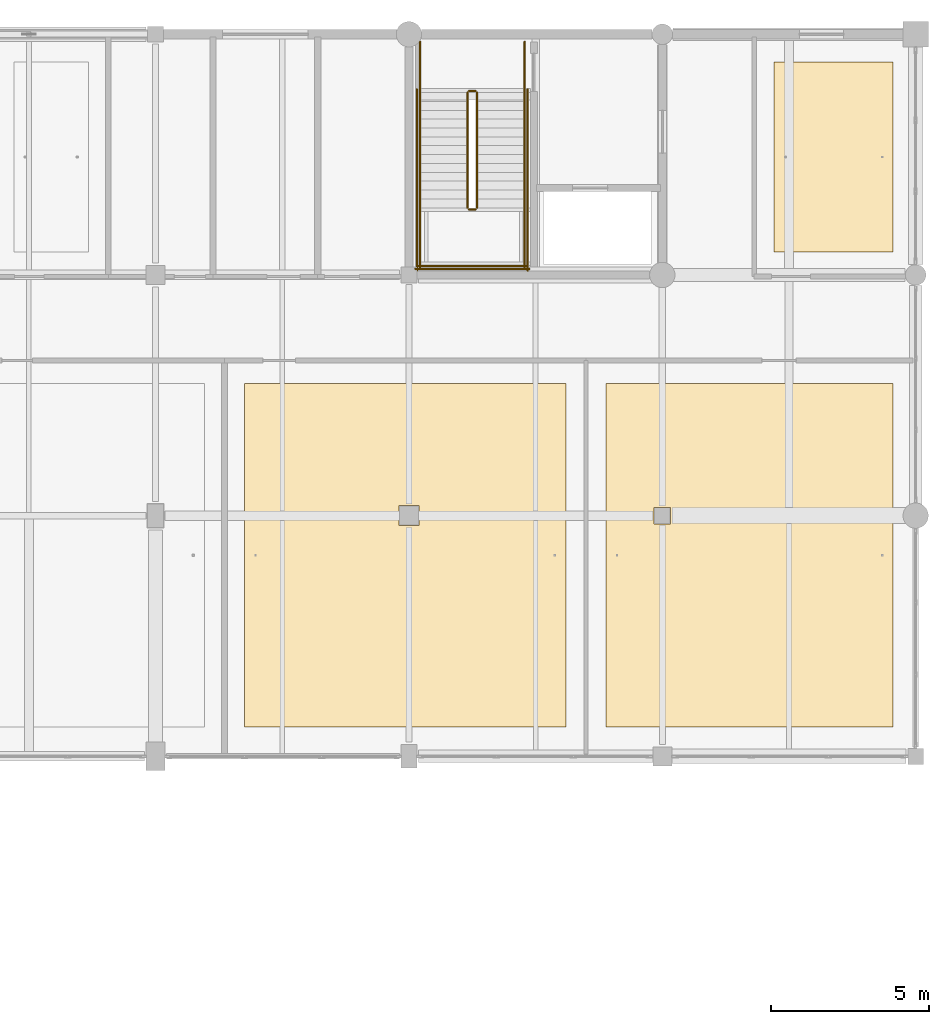
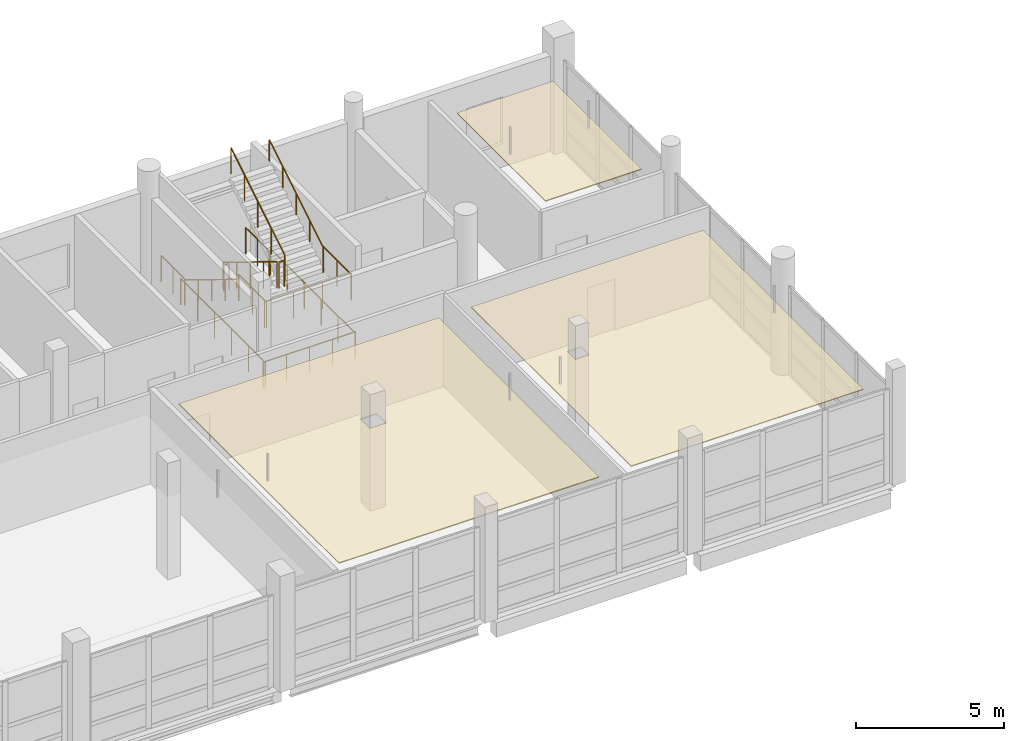
# One storey, part 46 of 46: 14 railings, 3 coverings.
"""IFC4 building model written with IfcOpenShell, lengths in metres."""

import ifcopenshell
import ifcopenshell.guid

model = None  # the IFC model being written
_history = None  # IfcOwnerHistory: only IFC2X3 demands one
_inside = {}  # id of a spatial element -> (the spatial element, [elements in it])
_under = {}  # id of a project, library or spatial element -> (it, [spatial elements below it])
_declared = {}  # id of a project -> (the project, [libraries it declares])
_typed = {}  # id of a type object -> (the type object, [elements of that type])
_made_of = {}  # id of a material, layer set ... -> (it, [elements and type objects made of it])


def new_model(schema):
    """Start an empty IFC model of exactly this schema.

    Asked for "IFC4X3", IfcOpenShell would pick the latest addendum, in which some entities
    have other attributes; the version numbers below select the first issue.
    IFC2X3 requires an IfcOwnerHistory on every rooted entity: one is made here for all.
    """
    global model, _history
    if schema == "IFC4X3":
        model = ifcopenshell.file(schema_version=(4, 3, 0, 0))
    else:
        model = ifcopenshell.file(schema=schema)
    _inside.clear()
    _under.clear()
    _declared.clear()
    _typed.clear()
    _made_of.clear()
    _history = None
    if model.schema == "IFC2X3":
        org = make("IfcOrganization", Name="unknown")
        user = make(
            "IfcPersonAndOrganization",
            ThePerson=make("IfcPerson", FamilyName="unknown"),
            TheOrganization=org,
        )
        app = make(
            "IfcApplication",
            ApplicationDeveloper=org,
            Version="unknown",
            ApplicationFullName="unknown",
            ApplicationIdentifier="unknown",
        )
        _history = make(
            "IfcOwnerHistory",
            OwningUser=user,
            OwningApplication=app,
            ChangeAction="ADDED",
            CreationDate=0,
        )
    return model


def make(cls, **values):
    """One entity of the class cls with the attributes given. An attribute that is None is left unset."""
    return model.create_entity(
        cls, **{name: value for name, value in values.items() if value is not None}
    )


def rooted(cls, **values):
    """An entity with a GlobalId (a new one), such as an element, a storey or a relation."""
    return make(cls, GlobalId=ifcopenshell.guid.new(), OwnerHistory=_history, **values)


def si_unit(unit_type, name, prefix=None):
    """IfcSIUnit, for example si_unit("LENGTHUNIT", "METRE", prefix="MILLI")."""
    return make("IfcSIUnit", UnitType=unit_type, Prefix=prefix, Name=name)


def assignment(units):
    """IfcUnitAssignment: the units of a project."""
    return None if units is None else make("IfcUnitAssignment", Units=units)


def point(xyz):
    """IfcCartesianPoint."""
    return None if xyz is None else make("IfcCartesianPoint", Coordinates=xyz)


def direction(xyz):
    """IfcDirection."""
    return None if xyz is None else make("IfcDirection", DirectionRatios=xyz)


def frame(location, z_axis=None, x_axis=None):
    """IfcAxis2Placement3D, a coordinate frame: its origin and axes. An axis left out is left unset."""
    return make(
        "IfcAxis2Placement3D",
        Location=point(location),
        Axis=direction(z_axis),
        RefDirection=direction(x_axis),
    )


def frame_2d(location, x_axis=None):
    """IfcAxis2Placement2D, a coordinate frame in the plane: its origin and x axis."""
    return make(
        "IfcAxis2Placement2D", Location=point(location), RefDirection=direction(x_axis)
    )


def origin():
    """The frame at (0, 0, 0) with its axes left unset."""
    return frame((0.0, 0.0, 0.0))


def origin_2d():
    """The frame at (0, 0) in the plane with its x axis left unset."""
    return frame_2d((0.0, 0.0))


def place(relative_to, where):
    """IfcLocalPlacement: puts the frame where relative to a parent placement (None: the world)."""
    return make(
        "IfcLocalPlacement", PlacementRelTo=relative_to, RelativePlacement=where
    )


def context(
    kind, dimensions, precision=None, world=None, true_north=None, identifier=None
):
    """IfcGeometricRepresentationContext, for example the 3D "Model" context."""
    return make(
        "IfcGeometricRepresentationContext",
        ContextIdentifier=identifier,
        ContextType=kind,
        CoordinateSpaceDimension=dimensions,
        Precision=precision,
        WorldCoordinateSystem=world,
        TrueNorth=true_north,
    )


def subcontext(parent, identifier, kind, view, scale=None):
    """IfcGeometricRepresentationSubContext, for example "Body" below "Model"."""
    return make(
        "IfcGeometricRepresentationSubContext",
        ContextIdentifier=identifier,
        ContextType=kind,
        ParentContext=parent,
        TargetScale=scale,
        TargetView=view,
    )


def project(units=None, contexts=None):
    """IfcProject with its units and contexts."""
    return rooted(
        "IfcProject",
        Name="project",
        RepresentationContexts=contexts,
        UnitsInContext=assignment(units),
    )


def spatial(cls, under=None, at=None, **own):
    """A site, building, storey or space (cls), placed at a placement, below another one or the project."""
    s = rooted(cls, ObjectPlacement=at, **own)
    if under is not None:
        _under.setdefault(under.id(), (under, []))[1].append(s)
    return s


def polyline(points):
    """IfcPolyline through the points."""
    return make("IfcPolyline", Points=[point(p) for p in points])


def profile(cls, at=None, kind="AREA", **sizes):
    """A parametric profile (cls). Its sizes go by their IFC names, for example OverallWidth=200.0."""
    return make(cls, ProfileType=kind, Position=at, **sizes)


def circle(**sizes):
    """IfcCircleProfileDef."""
    return profile("IfcCircleProfileDef", **sizes)


def outline(outer, holes=None, kind="AREA"):
    """IfcArbitraryClosedProfileDef: a profile drawn as a closed curve; with holes, ...WithVoids."""
    if holes is None:
        return make("IfcArbitraryClosedProfileDef", ProfileType=kind, OuterCurve=outer)
    return make(
        "IfcArbitraryProfileDefWithVoids",
        ProfileType=kind,
        OuterCurve=outer,
        InnerCurves=holes,
    )


def extrude(swept, where, along, depth):
    """IfcExtrudedAreaSolid: the profile swept, set in the frame where, extruded along a direction by depth."""
    return make(
        "IfcExtrudedAreaSolid",
        SweptArea=swept,
        Position=where,
        ExtrudedDirection=direction(along),
        Depth=depth,
    )


def shape(context_of_items, identifier, shape_type, items):
    """IfcShapeRepresentation: the items that make up one representation, for example the "Body"."""
    return make(
        "IfcShapeRepresentation",
        ContextOfItems=context_of_items,
        RepresentationIdentifier=identifier,
        RepresentationType=shape_type,
        Items=items,
    )


def material(Name=None, Category=None):
    """IfcMaterial."""
    return make("IfcMaterial", Name=Name, Category=Category)


def layer(
    of_material, thickness, ventilated=None, Name=None, Category=None, Priority=None
):
    """IfcMaterialLayer: one layer of a wall or slab, of a material (None: an air gap)."""
    return make(
        "IfcMaterialLayer",
        Material=of_material,
        LayerThickness=thickness,
        IsVentilated=ventilated,
        Name=Name,
        Category=Category,
        Priority=Priority,
    )


def layer_set(layers, Name=None):
    """IfcMaterialLayerSet."""
    return make("IfcMaterialLayerSet", MaterialLayers=layers, LayerSetName=Name)


def made_of(thing, what):
    """Note that an element or type object is made of a material, layer set ...; save() writes the relation."""
    if what is not None:
        _made_of.setdefault(what.id(), (what, []))[1].append(thing)
    return thing


def type_object(cls, material=None, **own):
    """A type object (cls), such as IfcWallType, which elements share."""
    return made_of(rooted(cls, **own), material)


def element(
    cls,
    number,
    at=None,
    inside=None,
    cuts=None,
    type_object=None,
    material=None,
    context=None,
    identifier="Body",
    shape_type=None,
    held_by="IfcProductDefinitionShape",
    body=None,
    shapes=None,
    **own,
):
    """One element of the class cls, such as IfcWall. Its Tag is "e" and its number.

    at: its placement. inside: the storey or other place that contains it. cuts: it is an
    opening in that element (IfcRelVoidsElement). A single representation is given by context,
    identifier, shape_type and body (its items); several are given by shapes. held_by: the class
    of the entity that holds the representations. save() writes the other relations.
    """
    e = rooted(cls, Tag="e%d" % number, ObjectPlacement=at, **own)
    if body is not None:
        shapes = [shape(context, identifier, shape_type, body)]
    if shapes is not None:
        e.Representation = make(held_by, Representations=shapes)
    if inside is not None:
        _inside.setdefault(inside.id(), (inside, []))[1].append(e)
    if cuts is not None:
        rooted(
            "IfcRelVoidsElement", RelatingBuildingElement=cuts, RelatedOpeningElement=e
        )
    if type_object is not None:
        _typed.setdefault(type_object.id(), (type_object, []))[1].append(e)
    return made_of(e, material)


def aggregate(whole, parts):
    """IfcRelAggregates: a whole, such as a stair, and the parts it consists of."""
    return rooted("IfcRelAggregates", RelatingObject=whole, RelatedObjects=parts)


def save(model, path):
    """Write the relations noted so far, then the file.

    IfcRelAggregates (storeys below a building ...), IfcRelContainedInSpatialStructure (elements
    in a storey), IfcRelDefinesByType, IfcRelAssociatesMaterial and IfcRelDeclares: one each for
    every whole, place, type object, material and project.
    """
    for whole, parts in _under.values():
        aggregate(whole, parts)
    for where, things in _inside.values():
        rooted(
            "IfcRelContainedInSpatialStructure",
            RelatedElements=things,
            RelatingStructure=where,
        )
    for kind, things in _typed.values():
        rooted("IfcRelDefinesByType", RelatedObjects=things, RelatingType=kind)
    for what, things in _made_of.values():
        rooted("IfcRelAssociatesMaterial", RelatedObjects=things, RelatingMaterial=what)
    for by, libraries in _declared.values():
        rooted("IfcRelDeclares", RelatingContext=by, RelatedDefinitions=libraries)
    model.write(path)


model = new_model("IFC4")

# Units and contexts
model_context = context("Model", 3, precision=1e-05, world=origin(), true_north=direction((0.0, 1.0)))
body_context = subcontext(model_context, "Body", "Model", "MODEL_VIEW")
ifc_project = project(units=[si_unit("LENGTHUNIT", "METRE"), si_unit("AREAUNIT", "SQUARE_METRE"), si_unit("VOLUMEUNIT", "CUBIC_METRE"), si_unit("PLANEANGLEUNIT", "RADIAN"), si_unit("MASSUNIT", "GRAM", prefix="KILO")], contexts=[model_context])

# Site, building, storey
site_placement = place(None, origin())
site = spatial("IfcSite", under=ifc_project, at=site_placement, CompositionType="ELEMENT")
building_placement = place(site_placement, origin())
building = spatial("IfcBuilding", under=site, at=building_placement, Name="Khelvaren Railside Concert Hall", CompositionType="ELEMENT")
storey_placement = place(building_placement, frame((0.0, 0.0, 19.800048828125)))
storey = spatial("IfcBuildingStorey", under=building, at=storey_placement, Name="L04", CompositionType="ELEMENT", Elevation=19.800048828125)

# Coverings
ifc_material_1 = material(Name="Mineral-wool acoustic baffle ceiling", Category="gypsum")
ifc_layer_1 = layer(ifc_material_1, 0.0400390625)
ifc_layer_set_1 = layer_set([ifc_layer_1], Name="Mineral-wool acoustic baffle ceiling")
covering_type_1 = type_object("IfcCoveringType", Name="CLG20", PredefinedType="CEILING", material=ifc_layer_set_1)
covering_1_placement = place(storey_placement, frame((0.0, 0.0, 3.409912109375)))
element("IfcCovering", 1, at=covering_1_placement, inside=storey, type_object=covering_type_1, Name="Suspended Acoustic Ceiling Percussion Isolation Practice Studio", PredefinedType="CEILING", context=body_context, shape_type="SweptSolid", body=[
    extrude(outline(polyline([(162.803955078125, 92.1298828125), (172.9599609375, 92.1298828125), (172.9599609375, 102.969970703125), (162.803955078125, 102.969970703125), (162.803955078125, 92.1298828125)]), holes=[polyline([(167.68505859375, 98.485107421875), (168.31494140625, 98.485107421875), (168.31494140625, 99.114990234375), (167.68505859375, 99.114990234375), (167.68505859375, 98.485107421875)])]), origin(), (0.0, 0.0, 1.0), 0.0400390625),
])
covering_2_placement = place(storey_placement, frame((0.0, 0.0, 3.409912109375)))
element("IfcCovering", 2, at=covering_2_placement, inside=storey, type_object=covering_type_1, Name="Suspended Acoustic Ceiling Ensemble Coaching Suite L04", PredefinedType="CEILING", context=body_context, shape_type="SweptSolid", body=[
    extrude(outline(polyline([(179.530029296875, 107.1298828125), (183.2900390625, 107.1298828125), (183.2900390625, 113.1201171875), (179.530029296875, 113.1201171875), (179.530029296875, 107.1298828125)])), origin(), (0.0, 0.0, 1.0), 0.0400390625),
])
ifc_material_2 = material(Name="Micro-perforated timber acoustic ceiling", Category="wood")
ifc_layer_2 = layer(ifc_material_2, 0.030029296875)
ifc_layer_set_2 = layer_set([ifc_layer_2], Name="Micro-perforated timber acoustic ceiling")
covering_type_2 = type_object("IfcCoveringType", Name="CLG77", PredefinedType="CEILING", material=ifc_layer_set_2)
covering_3_placement = place(storey_placement, frame((0.0, 0.0, 3.419921875)))
element("IfcCovering", 3, at=covering_3_placement, inside=storey, type_object=covering_type_2, Name="Suspended Acoustic Ceiling Education Outreach Coordinator Office", PredefinedType="CEILING", context=body_context, shape_type="SweptSolid", body=[
    extrude(outline(polyline([(174.219970703125, 92.1298828125), (183.2900390625, 92.1298828125), (183.2900390625, 102.969970703125), (174.219970703125, 102.969970703125), (174.219970703125, 92.1298828125)]), holes=[polyline([(175.735107421875, 98.534912109375), (176.264892578125, 98.534912109375), (176.264892578125, 99.06494140625), (175.735107421875, 99.06494140625), (175.735107421875, 98.534912109375)])]), origin(), (0.0, 0.0, 1.0), 0.030029296875),
])

# Railings
ifc_material_3 = material(Name="Painted architectural steel", Category="steel")
railing_type_1 = type_object("IfcRailingType", Name="GRD86", PredefinedType="GUARDRAIL", material=ifc_material_3)
railing_1_placement = place(storey_placement, frame((169.85009765625, 112.159912109375, 0.17138671875)))
element("IfcRailing", 4, at=railing_1_placement, inside=storey, type_object=railing_type_1, Name="L04 ST-10 stair guard 1", PredefinedType="GUARDRAIL", context=body_context, shape_type="SweptSolid", body=[
    extrude(circle(Radius=0.02392578125, at=origin_2d()), frame((0.0, 0.0, 1.076171875), z_axis=(0.0, -0.852850264322, 0.5221555579), x_axis=(1.0, 0.0, 0.0)), (0.0, 0.0, 1.0), 4.267822265625),
    extrude(circle(Radius=0.02099609375, at=origin_2d()), origin(), (0.0, 0.0, 1.0), 1.052001953125),
    extrude(circle(Radius=0.02099609375, at=origin_2d()), frame((0.0, -0.909912109375, 0.55712890625)), (0.0, 0.0, 1.0), 1.052001953125),
    extrude(circle(Radius=0.02099609375, at=origin_2d()), frame((0.0, -1.81982421875, 1.1142578125)), (0.0, 0.0, 1.0), 1.052001953125),
    extrude(circle(Radius=0.02099609375, at=origin_2d()), frame((0.0, -2.72998046875, 1.67138671875)), (0.0, 0.0, 1.0), 1.052001953125),
    extrude(circle(Radius=0.02099609375, at=origin_2d()), frame((0.0, -3.639892578125, 2.228515625)), (0.0, 0.0, 1.0), 1.052001953125),
])
railing_2_placement = place(storey_placement, frame((169.89990234375, 108.469970703125, 2.39990234375)))
element("IfcRailing", 5, at=railing_2_placement, inside=storey, type_object=railing_type_1, Name="L04 ST-10 stair guard 2", PredefinedType="GUARDRAIL", context=body_context, shape_type="SweptSolid", body=[
    extrude(circle(Radius=0.02392578125, at=origin_2d()), frame((0.0, 0.0, 1.076171875), z_axis=(1.0, 0.0, 0.0), x_axis=(0.0, 1.0, 0.0)), (0.0, 0.0, 1.0), 0.2001953125),
    extrude(circle(Radius=0.02099609375, at=origin_2d()), origin(), (0.0, 0.0, 1.0), 1.052001953125),
    extrude(circle(Radius=0.02099609375, at=origin_2d()), frame((0.2001953125, 0.0, 0.0)), (0.0, 0.0, 1.0), 1.052001953125),
])
for number, where, name in (
    (6, (168.35009765625, 108.52001953125, 2.39990234375), "L04 ST-10 stair guard 3"),
    (7, (171.64990234375, 108.52001953125, 2.39990234375), "L04 ST-10 stair guard 4"),
):
    element("IfcRailing", number, at=place(storey_placement, frame(where)), inside=storey, type_object=railing_type_1, Name=name, PredefinedType="GUARDRAIL", context=body_context, shape_type="SweptSolid", body=[
        extrude(circle(Radius=0.02392578125, at=origin_2d()), frame((0.0, 0.0, 1.076171875), z_axis=(0.0, -1.0, 0.0), x_axis=(1.0, 0.0, 0.0)), (0.0, 0.0, 1.0), 1.880126953125),
        extrude(circle(Radius=0.02099609375, at=origin_2d()), origin(), (0.0, 0.0, 1.0), 1.052001953125),
        extrude(circle(Radius=0.02099609375, at=origin_2d()), frame((0.0, -0.93994140625, 0.0)), (0.0, 0.0, 1.0), 1.052001953125),
        extrude(circle(Radius=0.02099609375, at=origin_2d()), frame((0.0, -1.880126953125, 0.0)), (0.0, 0.0, 1.0), 1.052001953125),
    ])
railing_3_placement = place(storey_placement, frame((168.300048828125, 106.68994140625, 2.39990234375)))
element("IfcRailing", 8, at=railing_3_placement, inside=storey, type_object=railing_type_1, Name="L04 ST-10 stair guard 5", PredefinedType="GUARDRAIL", context=body_context, shape_type="SweptSolid", body=[
    extrude(circle(Radius=0.02392578125, at=origin_2d()), frame((0.0, 0.0, 1.076171875), z_axis=(1.0, 0.0, 0.0), x_axis=(0.0, 1.0, 0.0)), (0.0, 0.0, 1.0), 3.39990234375),
    extrude(circle(Radius=0.02099609375, at=origin_2d()), origin(), (0.0, 0.0, 1.0), 1.052001953125),
    extrude(circle(Radius=0.02099609375, at=origin_2d()), frame((1.13330078125, 0.0, 0.0)), (0.0, 0.0, 1.0), 1.052001953125),
    extrude(circle(Radius=0.02099609375, at=origin_2d()), frame((2.2666015625, 0.0, 0.0)), (0.0, 0.0, 1.0), 1.052001953125),
    extrude(circle(Radius=0.02099609375, at=origin_2d()), frame((3.39990234375, 0.0, 0.0)), (0.0, 0.0, 1.0), 1.052001953125),
])
railing_4_placement = place(storey_placement, frame((170.14990234375, 108.52001953125, 2.5712890625)))
element("IfcRailing", 9, at=railing_4_placement, inside=storey, type_object=railing_type_1, Name="L04 ST-10 stair guard 6", PredefinedType="GUARDRAIL", context=body_context, shape_type="SweptSolid", body=[
    extrude(circle(Radius=0.02392578125, at=origin_2d()), frame((0.0, 0.0, 1.076171875), z_axis=(0.0, 0.852824790078, 0.522197163366), x_axis=(-1.0, 0.0, 0.0)), (0.0, 0.0, 1.0), 4.26806640625),
    extrude(circle(Radius=0.02099609375, at=origin_2d()), origin(), (0.0, 0.0, 1.0), 1.052001953125),
    extrude(circle(Radius=0.02099609375, at=origin_2d()), frame((0.0, 0.909912109375, 0.55712890625)), (0.0, 0.0, 1.0), 1.052001953125),
    extrude(circle(Radius=0.02099609375, at=origin_2d()), frame((0.0, 1.81982421875, 1.1142578125)), (0.0, 0.0, 1.0), 1.052001953125),
    extrude(circle(Radius=0.02099609375, at=origin_2d()), frame((0.0, 2.72998046875, 1.671630859375)), (0.0, 0.0, 1.0), 1.052001953125),
    extrude(circle(Radius=0.02099609375, at=origin_2d()), frame((0.0, 3.639892578125, 2.228759765625)), (0.0, 0.0, 1.0), 1.052001953125),
])
railing_5_placement = place(storey_placement, frame((169.89990234375, 112.2099609375, 0.0)))
element("IfcRailing", 10, at=railing_5_placement, inside=storey, type_object=railing_type_1, Name="L04 ST-10 stair guard 7", PredefinedType="GUARDRAIL", context=body_context, shape_type="SweptSolid", body=[
    extrude(circle(Radius=0.02392578125, at=origin_2d()), frame((0.0, 0.0, 1.076171875), z_axis=(1.0, 0.0, 0.0), x_axis=(0.0, 1.0, 0.0)), (0.0, 0.0, 1.0), 0.2001953125),
    extrude(circle(Radius=0.02099609375, at=origin_2d()), origin(), (0.0, 0.0, 1.0), 1.052001953125),
    extrude(circle(Radius=0.02099609375, at=origin_2d()), frame((0.2001953125, 0.0, 0.0)), (0.0, 0.0, 1.0), 1.052001953125),
])
for number, where, name in (
    (11, (168.35009765625, 113.760009765625, 0.0), "L04 ST-10 stair guard 8"),
    (12, (171.64990234375, 113.760009765625, 0.0), "L04 ST-10 stair guard 9"),
):
    element("IfcRailing", number, at=place(storey_placement, frame(where)), inside=storey, type_object=railing_type_1, Name=name, PredefinedType="GUARDRAIL", context=body_context, shape_type="SweptSolid", body=[
        extrude(circle(Radius=0.02392578125, at=origin_2d()), frame((0.0, 0.0, 1.076171875), z_axis=(0.0, -1.0, 0.0), x_axis=(1.0, 0.0, 0.0)), (0.0, 0.0, 1.0), 1.60009765625),
        extrude(circle(Radius=0.02099609375, at=origin_2d()), origin(), (0.0, 0.0, 1.0), 1.052001953125),
        extrude(circle(Radius=0.02099609375, at=origin_2d()), frame((0.0, -0.800048828125, 0.0)), (0.0, 0.0, 1.0), 1.052001953125),
        extrude(circle(Radius=0.02099609375, at=origin_2d()), frame((0.0, -1.60009765625, 0.0)), (0.0, 0.0, 1.0), 1.052001953125),
    ])
for number, where, name in (
    (13, (168.25, 112.260009765625, 0.0), "L04 ST-10 stair guard 10"),
    (14, (171.75, 112.260009765625, 0.0), "L04 ST-10 stair guard 11"),
):
    element("IfcRailing", number, at=place(storey_placement, frame(where)), inside=storey, type_object=railing_type_1, Name=name, PredefinedType="GUARDRAIL", context=body_context, shape_type="SweptSolid", body=[
        extrude(circle(Radius=0.02392578125, at=origin_2d()), frame((0.0, 0.0, 1.076171875), z_axis=(0.0, -1.0, 0.0), x_axis=(1.0, 0.0, 0.0)), (0.0, 0.0, 1.0), 5.719970703125),
        extrude(circle(Radius=0.02099609375, at=origin_2d()), origin(), (0.0, 0.0, 1.0), 1.052001953125),
        extrude(circle(Radius=0.02099609375, at=origin_2d()), frame((0.0, -1.14404296875, 0.0)), (0.0, 0.0, 1.0), 1.052001953125),
        extrude(circle(Radius=0.02099609375, at=origin_2d()), frame((0.0, -2.2880859375, 0.0)), (0.0, 0.0, 1.0), 1.052001953125),
        extrude(circle(Radius=0.02099609375, at=origin_2d()), frame((0.0, -3.431884765625, 0.0)), (0.0, 0.0, 1.0), 1.052001953125),
        extrude(circle(Radius=0.02099609375, at=origin_2d()), frame((0.0, -4.575927734375, 0.0)), (0.0, 0.0, 1.0), 1.052001953125),
        extrude(circle(Radius=0.02099609375, at=origin_2d()), frame((0.0, -5.719970703125, 0.0)), (0.0, 0.0, 1.0), 1.052001953125),
    ])
railing_6_placement = place(storey_placement, frame((168.199951171875, 106.590087890625, 0.0)))
element("IfcRailing", 15, at=railing_6_placement, inside=storey, type_object=railing_type_1, Name="L04 ST-10 stair guard 12", PredefinedType="GUARDRAIL", context=body_context, shape_type="SweptSolid", body=[
    extrude(circle(Radius=0.02392578125, at=origin_2d()), frame((0.0, 0.0, 1.076171875), z_axis=(1.0, 0.0, 0.0), x_axis=(0.0, 1.0, 0.0)), (0.0, 0.0, 1.0), 3.60009765625),
    extrude(circle(Radius=0.02099609375, at=origin_2d()), origin(), (0.0, 0.0, 1.0), 1.052001953125),
    extrude(circle(Radius=0.02099609375, at=origin_2d()), frame((0.89990234375, 0.0, 0.0)), (0.0, 0.0, 1.0), 1.052001953125),
    extrude(circle(Radius=0.02099609375, at=origin_2d()), frame((1.800048828125, 0.0, 0.0)), (0.0, 0.0, 1.0), 1.052001953125),
    extrude(circle(Radius=0.02099609375, at=origin_2d()), frame((2.7001953125, 0.0, 0.0)), (0.0, 0.0, 1.0), 1.052001953125),
    extrude(circle(Radius=0.02099609375, at=origin_2d()), frame((3.60009765625, 0.0, 0.0)), (0.0, 0.0, 1.0), 1.052001953125),
])
ifc_material_4 = material(Name="Brushed stainless steel Grade 316", Category="steel")
railing_type_2 = type_object("IfcRailingType", Name="HRL59", PredefinedType="HANDRAIL", material=ifc_material_4)
railing_7_placement = place(storey_placement, frame((168.35009765625, 112.159912109375, 0.17138671875)))
element("IfcRailing", 16, at=railing_7_placement, inside=storey, type_object=railing_type_2, Name="L04 ST-10 stair handrail 1", PredefinedType="HANDRAIL", context=body_context, shape_type="SweptSolid", body=[
    extrude(circle(Radius=0.02392578125, at=origin_2d()), frame((0.0, 0.0, 0.8759765625), z_axis=(0.0, -0.852850264322, 0.5221555579), x_axis=(1.0, 0.0, 0.0)), (0.0, 0.0, 1.0), 4.267822265625),
    extrude(circle(Radius=0.02099609375, at=origin_2d()), origin(), (0.0, 0.0, 1.0), 0.851806640625),
    extrude(circle(Radius=0.02099609375, at=origin_2d()), frame((0.0, -0.909912109375, 0.55712890625)), (0.0, 0.0, 1.0), 0.851806640625),
    extrude(circle(Radius=0.02099609375, at=origin_2d()), frame((0.0, -1.81982421875, 1.1142578125)), (0.0, 0.0, 1.0), 0.851806640625),
    extrude(circle(Radius=0.02099609375, at=origin_2d()), frame((0.0, -2.72998046875, 1.67138671875)), (0.0, 0.0, 1.0), 0.851806640625),
    extrude(circle(Radius=0.02099609375, at=origin_2d()), frame((0.0, -3.639892578125, 2.228515625)), (0.0, 0.0, 1.0), 0.851806640625),
])
railing_8_placement = place(storey_placement, frame((171.64990234375, 108.52001953125, 2.5712890625)))
element("IfcRailing", 17, at=railing_8_placement, inside=storey, type_object=railing_type_2, Name="L04 ST-10 stair handrail 2", PredefinedType="HANDRAIL", context=body_context, shape_type="SweptSolid", body=[
    extrude(circle(Radius=0.02392578125, at=origin_2d()), frame((0.0, 0.0, 0.8759765625), z_axis=(0.0, 0.852824790078, 0.522197163366), x_axis=(-1.0, 0.0, 0.0)), (0.0, 0.0, 1.0), 4.26806640625),
    extrude(circle(Radius=0.02099609375, at=origin_2d()), origin(), (0.0, 0.0, 1.0), 0.851806640625),
    extrude(circle(Radius=0.02099609375, at=origin_2d()), frame((0.0, 0.909912109375, 0.55712890625)), (0.0, 0.0, 1.0), 0.851806640625),
    extrude(circle(Radius=0.02099609375, at=origin_2d()), frame((0.0, 1.81982421875, 1.1142578125)), (0.0, 0.0, 1.0), 0.851806640625),
    extrude(circle(Radius=0.02099609375, at=origin_2d()), frame((0.0, 2.72998046875, 1.671630859375)), (0.0, 0.0, 1.0), 0.851806640625),
    extrude(circle(Radius=0.02099609375, at=origin_2d()), frame((0.0, 3.639892578125, 2.228759765625)), (0.0, 0.0, 1.0), 0.851806640625),
])

save(model, "model.ifc")
